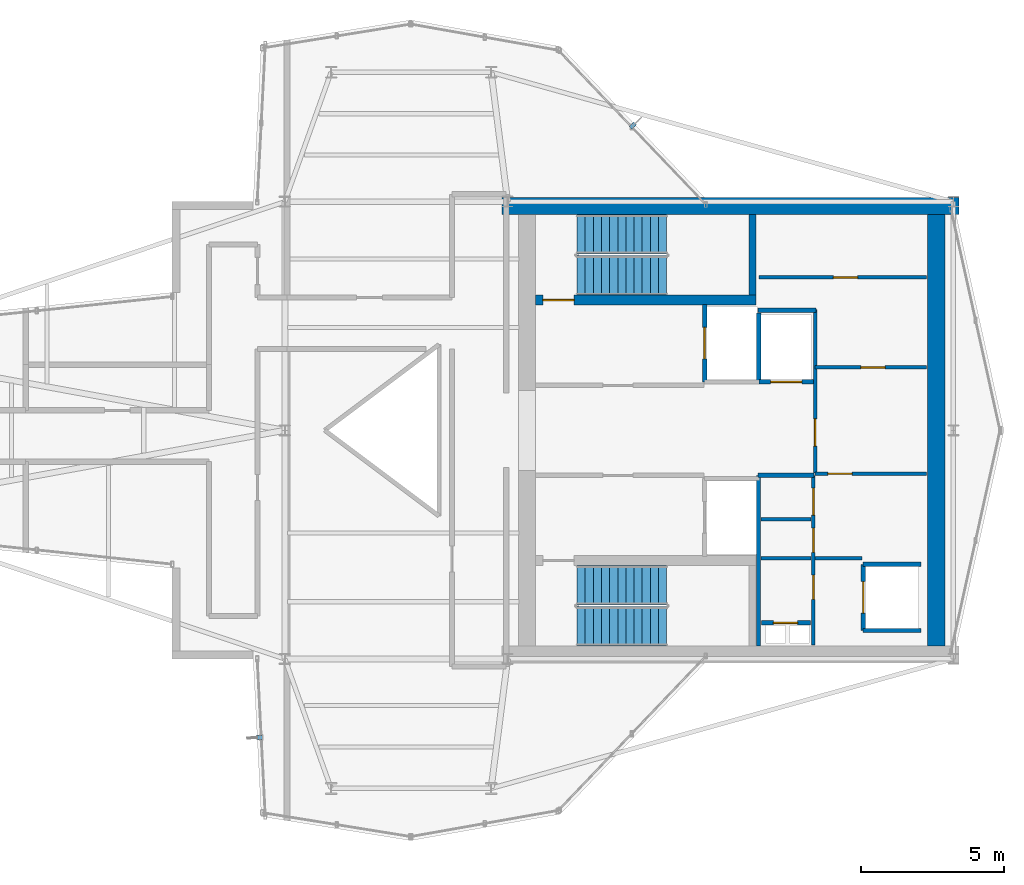
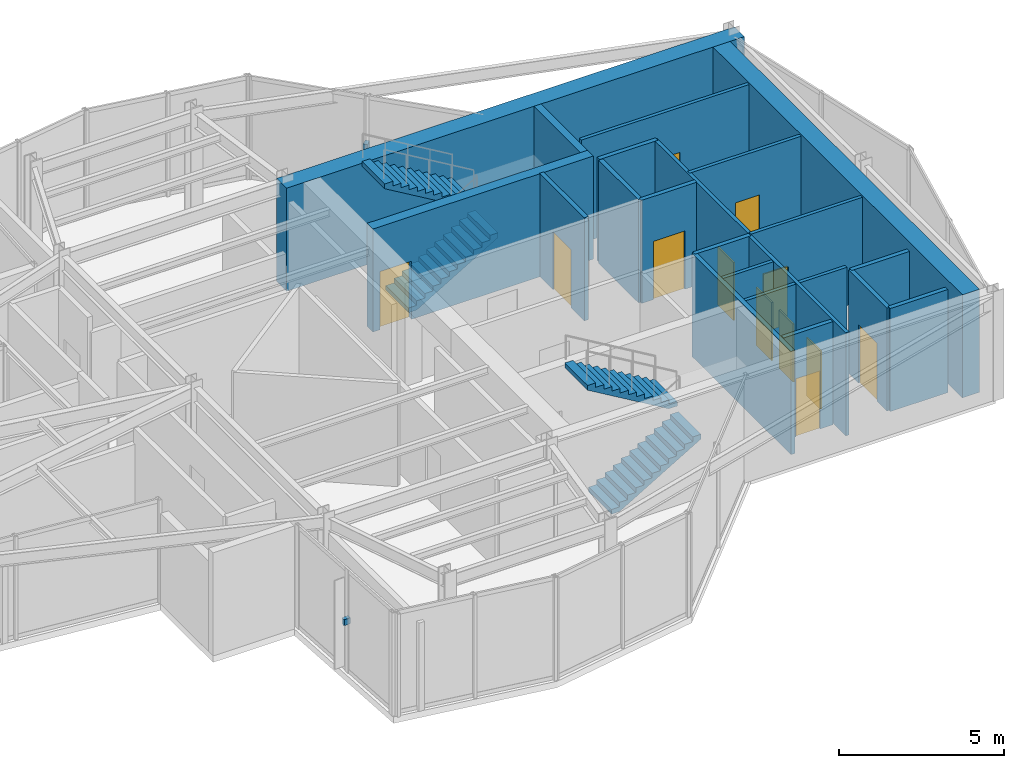
# One storey, part 12 of 13: 22 walls, 12 doors, 4 stair flights, 2 discrete accessories, 12 openings, 2 elements without a shape of their own.
"""IFC4 building model written with IfcOpenShell, lengths in metres."""

import ifcopenshell
import ifcopenshell.guid

model = None  # the IFC model being written
_history = None  # IfcOwnerHistory: only IFC2X3 demands one
_inside = {}  # id of a spatial element -> (the spatial element, [elements in it])
_under = {}  # id of a project, library or spatial element -> (it, [spatial elements below it])
_declared = {}  # id of a project -> (the project, [libraries it declares])
_typed = {}  # id of a type object -> (the type object, [elements of that type])
_made_of = {}  # id of a material, layer set ... -> (it, [elements and type objects made of it])


def new_model(schema):
    """Start an empty IFC model of exactly this schema.

    Asked for "IFC4X3", IfcOpenShell would pick the latest addendum, in which some entities
    have other attributes; the version numbers below select the first issue.
    IFC2X3 requires an IfcOwnerHistory on every rooted entity: one is made here for all.
    """
    global model, _history
    if schema == "IFC4X3":
        model = ifcopenshell.file(schema_version=(4, 3, 0, 0))
    else:
        model = ifcopenshell.file(schema=schema)
    _inside.clear()
    _under.clear()
    _declared.clear()
    _typed.clear()
    _made_of.clear()
    _history = None
    if model.schema == "IFC2X3":
        org = make("IfcOrganization", Name="unknown")
        user = make(
            "IfcPersonAndOrganization",
            ThePerson=make("IfcPerson", FamilyName="unknown"),
            TheOrganization=org,
        )
        app = make(
            "IfcApplication",
            ApplicationDeveloper=org,
            Version="unknown",
            ApplicationFullName="unknown",
            ApplicationIdentifier="unknown",
        )
        _history = make(
            "IfcOwnerHistory",
            OwningUser=user,
            OwningApplication=app,
            ChangeAction="ADDED",
            CreationDate=0,
        )
    return model


def make(cls, **values):
    """One entity of the class cls with the attributes given. An attribute that is None is left unset."""
    return model.create_entity(
        cls, **{name: value for name, value in values.items() if value is not None}
    )


def rooted(cls, **values):
    """An entity with a GlobalId (a new one), such as an element, a storey or a relation."""
    return make(cls, GlobalId=ifcopenshell.guid.new(), OwnerHistory=_history, **values)


def si_unit(unit_type, name, prefix=None):
    """IfcSIUnit, for example si_unit("LENGTHUNIT", "METRE", prefix="MILLI")."""
    return make("IfcSIUnit", UnitType=unit_type, Prefix=prefix, Name=name)


def assignment(units):
    """IfcUnitAssignment: the units of a project."""
    return None if units is None else make("IfcUnitAssignment", Units=units)


def point(xyz):
    """IfcCartesianPoint."""
    return None if xyz is None else make("IfcCartesianPoint", Coordinates=xyz)


def direction(xyz):
    """IfcDirection."""
    return None if xyz is None else make("IfcDirection", DirectionRatios=xyz)


def frame(location, z_axis=None, x_axis=None):
    """IfcAxis2Placement3D, a coordinate frame: its origin and axes. An axis left out is left unset."""
    return make(
        "IfcAxis2Placement3D",
        Location=point(location),
        Axis=direction(z_axis),
        RefDirection=direction(x_axis),
    )


def frame_2d(location, x_axis=None):
    """IfcAxis2Placement2D, a coordinate frame in the plane: its origin and x axis."""
    return make(
        "IfcAxis2Placement2D", Location=point(location), RefDirection=direction(x_axis)
    )


def origin():
    """The frame at (0, 0, 0) with its axes left unset."""
    return frame((0.0, 0.0, 0.0))


def origin_2d():
    """The frame at (0, 0) in the plane with its x axis left unset."""
    return frame_2d((0.0, 0.0))


def place(relative_to, where):
    """IfcLocalPlacement: puts the frame where relative to a parent placement (None: the world)."""
    return make(
        "IfcLocalPlacement", PlacementRelTo=relative_to, RelativePlacement=where
    )


def context(
    kind, dimensions, precision=None, world=None, true_north=None, identifier=None
):
    """IfcGeometricRepresentationContext, for example the 3D "Model" context."""
    return make(
        "IfcGeometricRepresentationContext",
        ContextIdentifier=identifier,
        ContextType=kind,
        CoordinateSpaceDimension=dimensions,
        Precision=precision,
        WorldCoordinateSystem=world,
        TrueNorth=true_north,
    )


def subcontext(parent, identifier, kind, view, scale=None):
    """IfcGeometricRepresentationSubContext, for example "Body" below "Model"."""
    return make(
        "IfcGeometricRepresentationSubContext",
        ContextIdentifier=identifier,
        ContextType=kind,
        ParentContext=parent,
        TargetScale=scale,
        TargetView=view,
    )


def project(units=None, contexts=None):
    """IfcProject with its units and contexts."""
    return rooted(
        "IfcProject",
        Name="project",
        RepresentationContexts=contexts,
        UnitsInContext=assignment(units),
    )


def spatial(cls, under=None, at=None, **own):
    """A site, building, storey or space (cls), placed at a placement, below another one or the project."""
    s = rooted(cls, ObjectPlacement=at, **own)
    if under is not None:
        _under.setdefault(under.id(), (under, []))[1].append(s)
    return s


def polyline(points):
    """IfcPolyline through the points."""
    return make("IfcPolyline", Points=[point(p) for p in points])


def profile(cls, at=None, kind="AREA", **sizes):
    """A parametric profile (cls). Its sizes go by their IFC names, for example OverallWidth=200.0."""
    return make(cls, ProfileType=kind, Position=at, **sizes)


def rectangle(**sizes):
    """IfcRectangleProfileDef."""
    return profile("IfcRectangleProfileDef", **sizes)


def outline(outer, holes=None, kind="AREA"):
    """IfcArbitraryClosedProfileDef: a profile drawn as a closed curve; with holes, ...WithVoids."""
    if holes is None:
        return make("IfcArbitraryClosedProfileDef", ProfileType=kind, OuterCurve=outer)
    return make(
        "IfcArbitraryProfileDefWithVoids",
        ProfileType=kind,
        OuterCurve=outer,
        InnerCurves=holes,
    )


def extrude(swept, where, along, depth):
    """IfcExtrudedAreaSolid: the profile swept, set in the frame where, extruded along a direction by depth."""
    return make(
        "IfcExtrudedAreaSolid",
        SweptArea=swept,
        Position=where,
        ExtrudedDirection=direction(along),
        Depth=depth,
    )


def shape(context_of_items, identifier, shape_type, items):
    """IfcShapeRepresentation: the items that make up one representation, for example the "Body"."""
    return make(
        "IfcShapeRepresentation",
        ContextOfItems=context_of_items,
        RepresentationIdentifier=identifier,
        RepresentationType=shape_type,
        Items=items,
    )


def material(Name=None, Category=None):
    """IfcMaterial."""
    return make("IfcMaterial", Name=Name, Category=Category)


def layer(
    of_material, thickness, ventilated=None, Name=None, Category=None, Priority=None
):
    """IfcMaterialLayer: one layer of a wall or slab, of a material (None: an air gap)."""
    return make(
        "IfcMaterialLayer",
        Material=of_material,
        LayerThickness=thickness,
        IsVentilated=ventilated,
        Name=Name,
        Category=Category,
        Priority=Priority,
    )


def layer_set(layers, Name=None):
    """IfcMaterialLayerSet."""
    return make("IfcMaterialLayerSet", MaterialLayers=layers, LayerSetName=Name)


def made_of(thing, what):
    """Note that an element or type object is made of a material, layer set ...; save() writes the relation."""
    if what is not None:
        _made_of.setdefault(what.id(), (what, []))[1].append(thing)
    return thing


def type_object(cls, material=None, **own):
    """A type object (cls), such as IfcWallType, which elements share."""
    return made_of(rooted(cls, **own), material)


def element(
    cls,
    number,
    at=None,
    inside=None,
    cuts=None,
    type_object=None,
    material=None,
    context=None,
    identifier="Body",
    shape_type=None,
    held_by="IfcProductDefinitionShape",
    body=None,
    shapes=None,
    **own,
):
    """One element of the class cls, such as IfcWall. Its Tag is "e" and its number.

    at: its placement. inside: the storey or other place that contains it. cuts: it is an
    opening in that element (IfcRelVoidsElement). A single representation is given by context,
    identifier, shape_type and body (its items); several are given by shapes. held_by: the class
    of the entity that holds the representations. save() writes the other relations.
    """
    e = rooted(cls, Tag="e%d" % number, ObjectPlacement=at, **own)
    if body is not None:
        shapes = [shape(context, identifier, shape_type, body)]
    if shapes is not None:
        e.Representation = make(held_by, Representations=shapes)
    if inside is not None:
        _inside.setdefault(inside.id(), (inside, []))[1].append(e)
    if cuts is not None:
        rooted(
            "IfcRelVoidsElement", RelatingBuildingElement=cuts, RelatedOpeningElement=e
        )
    if type_object is not None:
        _typed.setdefault(type_object.id(), (type_object, []))[1].append(e)
    return made_of(e, material)


def fill(opening, filler):
    """IfcRelFillsElement: the door or window that sits in an opening."""
    return rooted(
        "IfcRelFillsElement",
        RelatingOpeningElement=opening,
        RelatedBuildingElement=filler,
    )


def aggregate(whole, parts):
    """IfcRelAggregates: a whole, such as a stair, and the parts it consists of."""
    return rooted("IfcRelAggregates", RelatingObject=whole, RelatedObjects=parts)


def save(model, path):
    """Write the relations noted so far, then the file.

    IfcRelAggregates (storeys below a building ...), IfcRelContainedInSpatialStructure (elements
    in a storey), IfcRelDefinesByType, IfcRelAssociatesMaterial and IfcRelDeclares: one each for
    every whole, place, type object, material and project.
    """
    for whole, parts in _under.values():
        aggregate(whole, parts)
    for where, things in _inside.values():
        rooted(
            "IfcRelContainedInSpatialStructure",
            RelatedElements=things,
            RelatingStructure=where,
        )
    for kind, things in _typed.values():
        rooted("IfcRelDefinesByType", RelatedObjects=things, RelatingType=kind)
    for what, things in _made_of.values():
        rooted("IfcRelAssociatesMaterial", RelatedObjects=things, RelatingMaterial=what)
    for by, libraries in _declared.values():
        rooted("IfcRelDeclares", RelatingContext=by, RelatedDefinitions=libraries)
    model.write(path)


model = new_model("IFC4")

# Units and contexts
model_context = context("Model", 3, precision=1e-05, world=origin(), true_north=direction((0.0, 1.0)))
body_context = subcontext(model_context, "Body", "Model", "MODEL_VIEW")
ifc_project = project(units=[si_unit("LENGTHUNIT", "METRE"), si_unit("AREAUNIT", "SQUARE_METRE"), si_unit("VOLUMEUNIT", "CUBIC_METRE"), si_unit("PLANEANGLEUNIT", "RADIAN"), si_unit("MASSUNIT", "GRAM", prefix="KILO")], contexts=[model_context])

# Site, building, storey
site_placement = place(None, origin())
site = spatial("IfcSite", under=ifc_project, at=site_placement, CompositionType="ELEMENT")
building_placement = place(site_placement, origin())
building = spatial("IfcBuilding", under=site, at=building_placement, Name="Veymaron Broadcast Tower", CompositionType="ELEMENT")
storey_placement = place(building_placement, frame((0.0, 0.0, 291.14990234375)))
storey = spatial("IfcBuildingStorey", under=building, at=storey_placement, Name="L68", CompositionType="ELEMENT", Elevation=291.14990234375)

# Wall, opening, door
ifc_material_1 = material(Name="Gypsum fireboard and steel stud framing", Category="steel")
ifc_layer_1 = layer(ifc_material_1, 0.14990234375)
ifc_layer_set_1 = layer_set([ifc_layer_1], Name="Gypsum fireboard and steel stud framing")
wall_type_1 = type_object("IfcWallType", Name="WALL-FIRE-150", PredefinedType="PARTITIONING", material=ifc_layer_set_1)
wall_1_placement = place(storey_placement, frame((45.89501953125, 25.68994140625, 0.0), z_axis=(0.0, 0.0, 1.0), x_axis=(0.0, 1.0, 0.0)))
wall_1 = element("IfcWall", 1, at=wall_1_placement, inside=storey, type_object=wall_type_1, Name="L68 partition IW-L68-SHW-FFL-1", PredefinedType="PARTITIONING", context=body_context, shape_type="SweptSolid", body=[
    extrude(rectangle(XDim=2.719970703125, YDim=0.14990234375, at=frame_2d((1.35986328125, 0.0))), origin(), (0.0, 0.0, 1.0), 3.81005859375),
])
opening_1_placement = place(wall_1_placement, frame((0.81005859375, 0.0, 0.0)))
opening_1 = element("IfcOpeningElement", 2, at=opening_1_placement, cuts=wall_1, Name="Opening LD", PredefinedType="OPENING", context=body_context, shape_type="SweptSolid", body=[
    extrude(rectangle(XDim=1.10009765625, YDim=2.14990234375, at=frame_2d((0.550048828125, 1.074951171875))), frame((0.0, 0.0849609375, 0.0), z_axis=(0.0, -1.0, 0.0), x_axis=(1.0, 0.0, 0.0)), (0.0, 0.0, 1.0), 0.169921875),
])
ifc_material_2 = material(Name="Brushed stainless steel AISI 304", Category="steel")
door_type_1 = type_object("IfcDoorType", Name="DOOR-LIFT-1100", OperationType="DOUBLE_DOOR_SLIDING", PredefinedType="DOOR", material=ifc_material_2)
door_1_placement = place(opening_1_placement, frame((1.10009765625, 0.0, 0.0), z_axis=(0.0, 0.0, 1.0), x_axis=(-1.0, 0.0, 0.0)))
door_1 = element("IfcDoor", 3, at=door_1_placement, inside=storey, type_object=door_type_1, Name="L68 door LD-L68-FFL-1", OperationType="DOUBLE_DOOR_SLIDING", OverallHeight=2.14990234375, OverallWidth=1.10009765625, PredefinedType="DOOR", context=body_context, shape_type="SweptSolid", body=[
    extrude(rectangle(XDim=1.10009765625, YDim=2.14990234375, at=frame_2d((0.550048828125, 1.074951171875))), frame((0.0, 0.02490234375, 0.0), z_axis=(0.0, -1.0, 0.0), x_axis=(1.0, 0.0, 0.0)), (0.0, 0.0, 1.0), 0.050048828125),
])
fill(opening_1, door_1)

wall_2_placement = place(storey_placement, frame((47.7900390625, 25.695068359375, 0.0), z_axis=(0.0, 0.0, 1.0), x_axis=(1.0, 0.0, 0.0)))
wall_2 = element("IfcWall", 4, at=wall_2_placement, inside=storey, type_object=wall_type_1, Name="L68 partition IW-L68-SHS-SL-1", PredefinedType="PARTITIONING", context=body_context, shape_type="SweptSolid", body=[
    extrude(rectangle(XDim=1.919921875, YDim=0.14990234375, at=frame_2d((0.9599609375, 0.0))), origin(), (0.0, 0.0, 1.0), 3.81005859375),
])
opening_2_placement = place(wall_2_placement, frame((0.409912109375, 0.0, 0.0)))
opening_2 = element("IfcOpeningElement", 5, at=opening_2_placement, cuts=wall_2, Name="Opening LD", PredefinedType="OPENING", context=body_context, shape_type="SweptSolid", body=[
    extrude(rectangle(XDim=1.10009765625, YDim=2.14990234375, at=frame_2d((0.550048828125, 1.074951171875))), frame((0.0, 0.0849609375, 0.0), z_axis=(0.0, -1.0, 0.0), x_axis=(1.0, 0.0, 0.0)), (0.0, 0.0, 1.0), 0.169921875),
])
door_2_placement = place(opening_2_placement, frame((1.10009765625, 0.0, 0.0), z_axis=(0.0, 0.0, 1.0), x_axis=(-1.0, 0.0, 0.0)))
door_2 = element("IfcDoor", 6, at=door_2_placement, inside=storey, type_object=door_type_1, Name="L68 door LD-L68-SL-1", OperationType="DOUBLE_DOOR_SLIDING", OverallHeight=2.14990234375, OverallWidth=1.10009765625, PredefinedType="DOOR", context=body_context, shape_type="SweptSolid", body=[
    extrude(rectangle(XDim=1.10009765625, YDim=2.14990234375, at=frame_2d((0.550048828125, 1.074951171875))), frame((0.0, 0.02490234375, 0.0), z_axis=(0.0, -1.0, 0.0), x_axis=(1.0, 0.0, 0.0)), (0.0, 0.0, 1.0), 0.050048828125),
])
fill(opening_2, door_2)

# Wall
wall_3_placement = place(storey_placement, frame((47.7900390625, 25.695068359375, 0.0), z_axis=(0.0, 0.0, 1.0), x_axis=(0.0, 1.0, 0.0)))
element("IfcWall", 7, at=wall_3_placement, inside=storey, type_object=wall_type_1, Name="L68 partition IW-L68-SHW-SL-1", PredefinedType="PARTITIONING", context=body_context, shape_type="SweptSolid", body=[
    extrude(rectangle(XDim=2.4150390625, YDim=0.14990234375, at=frame_2d((1.20751953125, 0.0))), origin(), (0.0, 0.0, 1.0), 3.81005859375),
])

# Wall, opening, door
wall_4_placement = place(storey_placement, frame((51.445068359375, 16.989990234375, 0.0), z_axis=(0.0, 0.0, 1.0), x_axis=(0.0, 1.0, 0.0)))
wall_4 = element("IfcWall", 8, at=wall_4_placement, inside=storey, type_object=wall_type_1, Name="L68 partition IW-L68-SHW-PH1", PredefinedType="PARTITIONING", context=body_context, shape_type="SweptSolid", body=[
    extrude(rectangle(XDim=2.320068359375, YDim=0.14990234375, at=frame_2d((1.16015625, 0.0))), origin(), (0.0, 0.0, 1.0), 3.81005859375),
])
opening_3_placement = place(wall_4_placement, frame((0.610107421875, 0.0, 0.0)))
opening_3 = element("IfcOpeningElement", 9, at=opening_3_placement, cuts=wall_4, Name="Opening LD", PredefinedType="OPENING", context=body_context, shape_type="SweptSolid", body=[
    extrude(rectangle(XDim=1.10009765625, YDim=2.14990234375, at=frame_2d((0.550048828125, 1.074951171875))), frame((0.0, 0.0849609375, 0.0), z_axis=(0.0, -1.0, 0.0), x_axis=(1.0, 0.0, 0.0)), (0.0, 0.0, 1.0), 0.169921875),
])
door_3_placement = place(opening_3_placement, frame((1.10009765625, 0.0, 0.0), z_axis=(0.0, 0.0, 1.0), x_axis=(-1.0, 0.0, 0.0)))
door_3 = element("IfcDoor", 10, at=door_3_placement, inside=storey, type_object=door_type_1, Name="L68 door LD-L68-PH1", OperationType="DOUBLE_DOOR_SLIDING", OverallHeight=2.14990234375, OverallWidth=1.10009765625, PredefinedType="DOOR", context=body_context, shape_type="SweptSolid", body=[
    extrude(rectangle(XDim=1.10009765625, YDim=2.14990234375, at=frame_2d((0.550048828125, 1.074951171875))), frame((0.0, 0.02490234375, 0.0), z_axis=(0.0, -1.0, 0.0), x_axis=(1.0, 0.0, 0.0)), (0.0, 0.0, 1.0), 0.050048828125),
])
fill(opening_3, door_3)

# Walls
for number, where, z_axis, x_axis, name in (
    (11, (51.445068359375, 16.989990234375, 0.0), (0.0, 0.0, 1.0), (1.0, 0.0, 0.0), "L68 partition IW-L68-SHS-PH1"),
    (12, (51.445068359375, 19.31005859375, 0.0), (0.0, 0.0, 1.0), (1.0, 0.0, 0.0), "L68 partition IW-L68-SHN-PH1"),
):
    element("IfcWall", number, at=place(storey_placement, frame(where, z_axis=z_axis, x_axis=x_axis)), inside=storey, type_object=wall_type_1, Name=name, PredefinedType="PARTITIONING", context=body_context, shape_type="SweptSolid", body=[
        extrude(rectangle(XDim=2.014892578125, YDim=0.14990234375, at=frame_2d((1.00732421875, 0.0))), origin(), (0.0, 0.0, 1.0), 3.81005859375),
    ])

# Wall, opening, door
wall_5_placement = place(storey_placement, frame((47.8798828125, 17.260009765625, 0.0), z_axis=(0.0, 0.0, 1.0), x_axis=(1.0, 0.0, 0.0)))
wall_5 = element("IfcWall", 13, at=wall_5_placement, inside=storey, type_object=wall_type_1, Name="L68 partition IW-L68-RIS-N", PredefinedType="PARTITIONING", context=body_context, shape_type="SweptSolid", body=[
    extrude(rectangle(XDim=1.72021484375, YDim=0.14990234375, at=frame_2d((0.860107421875, 0.0))), origin(), (0.0, 0.0, 1.0), 3.81005859375),
])
opening_4_placement = place(wall_5_placement, frame((0.419921875, 0.0, 0.0)))
opening_4 = element("IfcOpeningElement", 14, at=opening_4_placement, cuts=wall_5, Name="Opening ID-RS1", PredefinedType="OPENING", context=body_context, shape_type="SweptSolid", body=[
    extrude(rectangle(XDim=0.85009765625, YDim=2.14990234375, at=frame_2d((0.425048828125, 1.074951171875))), frame((0.0, 0.0849609375, 0.0), z_axis=(0.0, -1.0, 0.0), x_axis=(1.0, 0.0, 0.0)), (0.0, 0.0, 1.0), 0.169921875),
])
ifc_material_3 = material(Name="Fire-rated powder-coated steel riser leaf", Category="steel")
door_type_2 = type_object("IfcDoorType", Name="DOOR-RIS-850", OperationType="NOTDEFINED", PredefinedType="TRAPDOOR", material=ifc_material_3)
door_4_placement = place(opening_4_placement, origin())
door_4 = element("IfcDoor", 15, at=door_4_placement, inside=storey, type_object=door_type_2, Name="L68 door DR-L68-RIS", OperationType="SINGLE_SWING_LEFT", OverallHeight=2.14990234375, OverallWidth=0.85009765625, PredefinedType="TRAPDOOR", context=body_context, shape_type="SweptSolid", body=[
    extrude(rectangle(XDim=0.85009765625, YDim=2.14990234375, at=frame_2d((0.425048828125, 1.074951171875))), frame((0.0, 0.02490234375, 0.0), z_axis=(0.0, -1.0, 0.0), x_axis=(1.0, 0.0, 0.0)), (0.0, 0.0, 1.0), 0.050048828125),
])
fill(opening_4, door_4)

# Walls
wall_6_placement = place(storey_placement, frame((47.760009765625, 22.425048828125, 0.0), z_axis=(0.0, 0.0, 1.0), x_axis=(1.0, 0.0, 0.0)))
element("IfcWall", 16, at=wall_6_placement, inside=storey, type_object=wall_type_1, Name="L68 partition IW-L68-SM-N", PredefinedType="PARTITIONING", context=body_context, shape_type="SweptSolid", body=[
    extrude(rectangle(XDim=1.9599609375, YDim=0.14990234375, at=frame_2d((0.97998046875, 0.0))), origin(), (0.0, 0.0, 1.0), 3.81005859375),
])
wall_7_placement = place(storey_placement, frame((47.780029296875, 16.449951171875, 0.0), z_axis=(0.0, 0.0, 1.0), x_axis=(0.0, 1.0, 0.0)))
element("IfcWall", 17, at=wall_7_placement, inside=storey, type_object=wall_type_1, Name="L68 partition IW-L68-SM-W", PredefinedType="PARTITIONING", context=body_context, shape_type="SweptSolid", body=[
    extrude(rectangle(XDim=5.97509765625, YDim=0.14990234375, at=frame_2d((2.987548828125, 0.0))), origin(), (0.0, 0.0, 1.0), 3.81005859375),
])
wall_8_placement = place(storey_placement, frame((47.760009765625, 28.199951171875, 0.0), z_axis=(0.0, 0.0, 1.0), x_axis=(1.0, 0.0, 0.0)))
element("IfcWall", 18, at=wall_8_placement, inside=storey, type_object=wall_type_1, Name="L68 partition IW-L68-F3-SW", PredefinedType="PARTITIONING", context=body_context, shape_type="SweptSolid", body=[
    extrude(rectangle(XDim=2.0400390625, YDim=0.14990234375, at=frame_2d((1.02001953125, 0.0))), origin(), (0.0, 0.0, 1.0), 3.81005859375),
])
ifc_material_4 = material(Name="Acoustic gypsum board and galvanized stud", Category="gypsum")
ifc_layer_2 = layer(ifc_material_4, 0.1201171875)
ifc_layer_set_2 = layer_set([ifc_layer_2], Name="Acoustic gypsum board and galvanized stud")
wall_type_2 = type_object("IfcWallType", Name="WALL-PART-120", PredefinedType="PARTITIONING", material=ifc_layer_set_2)
for number, where, z_axis, x_axis, name in (
    (19, (47.860107421875, 19.52001953125, 0.0), (0.0, 0.0, 1.0), (1.0, 0.0, 0.0), "L68 partition IW-L68-SM-D1"),
    (20, (47.860107421875, 20.8798828125, 0.0), (0.0, 0.0, 1.0), (1.0, 0.0, 0.0), "L68 partition IW-L68-SM-D2"),
):
    element("IfcWall", number, at=place(storey_placement, frame(where, z_axis=z_axis, x_axis=x_axis)), inside=storey, type_object=wall_type_2, Name=name, PredefinedType="PARTITIONING", context=body_context, shape_type="SweptSolid", body=[
        extrude(rectangle(XDim=1.760009765625, YDim=0.1201171875, at=frame_2d((0.8798828125, 0.0))), origin(), (0.0, 0.0, 1.0), 3.81005859375),
    ])

# Wall, openings, doors
wall_9_placement = place(storey_placement, frame((49.699951171875, 16.47998046875, 0.0), z_axis=(0.0, 0.0, 1.0), x_axis=(0.0, 1.0, 0.0)))
wall_9 = element("IfcWall", 21, at=wall_9_placement, inside=storey, type_object=wall_type_2, Name="L68 partition IW-L68-SM-E", PredefinedType="PARTITIONING", context=body_context, shape_type="SweptSolid", body=[
    extrude(rectangle(XDim=5.945068359375, YDim=0.1201171875, at=frame_2d((2.97265625, 0.0))), origin(), (0.0, 0.0, 1.0), 3.81005859375),
])
opening_5_placement = place(wall_9_placement, frame((1.60009765625, 0.0, 0.0)))
opening_5 = element("IfcOpeningElement", 22, at=opening_5_placement, cuts=wall_9, Name="Opening ID-WC1", PredefinedType="OPENING", context=body_context, shape_type="SweptSolid", body=[
    extrude(rectangle(XDim=0.85009765625, YDim=2.14990234375, at=frame_2d((0.425048828125, 1.074951171875))), frame((0.0, 0.070068359375, 0.0), z_axis=(0.0, -1.0, 0.0), x_axis=(1.0, 0.0, 0.0)), (0.0, 0.0, 1.0), 0.14013671875),
])
opening_6_placement = place(wall_9_placement, frame((3.25, 0.0, 0.0)))
opening_6 = element("IfcOpeningElement", 23, at=opening_6_placement, cuts=wall_9, Name="Opening ID-WC1", PredefinedType="OPENING", context=body_context, shape_type="SweptSolid", body=[
    extrude(rectangle(XDim=0.85009765625, YDim=2.14990234375, at=frame_2d((0.425048828125, 1.074951171875))), frame((0.0, 0.070068359375, 0.0), z_axis=(0.0, -1.0, 0.0), x_axis=(1.0, 0.0, 0.0)), (0.0, 0.0, 1.0), 0.14013671875),
])
opening_7_placement = place(wall_9_placement, frame((4.550048828125, 0.0, 0.0)))
opening_7 = element("IfcOpeningElement", 24, at=opening_7_placement, cuts=wall_9, Name="Opening ID-RM1", PredefinedType="OPENING", context=body_context, shape_type="SweptSolid", body=[
    extrude(rectangle(XDim=0.949951171875, YDim=2.14990234375, at=frame_2d((0.47509765625, 1.074951171875))), frame((0.0, 0.070068359375, 0.0), z_axis=(0.0, -1.0, 0.0), x_axis=(1.0, 0.0, 0.0)), (0.0, 0.0, 1.0), 0.14013671875),
])
ifc_material_5 = material(Name="Moisture-resistant high-pressure laminate timber", Category="wood")
door_type_3 = type_object("IfcDoorType", Name="DOOR-INT-850", OperationType="NOTDEFINED", PredefinedType="DOOR", material=ifc_material_5)
door_5_placement = place(opening_5_placement, frame((0.85009765625, 0.0, 0.0), z_axis=(0.0, 0.0, 1.0), x_axis=(-1.0, 0.0, 0.0)))
door_5 = element("IfcDoor", 25, at=door_5_placement, inside=storey, type_object=door_type_3, Name="L68 door DR-L68-JST", OperationType="SINGLE_SWING_LEFT", OverallHeight=2.14990234375, OverallWidth=0.85009765625, PredefinedType="DOOR", context=body_context, shape_type="SweptSolid", body=[
    extrude(rectangle(XDim=0.85009765625, YDim=2.14990234375, at=frame_2d((0.425048828125, 1.074951171875))), frame((0.0, 0.02490234375, 0.0), z_axis=(0.0, -1.0, 0.0), x_axis=(1.0, 0.0, 0.0)), (0.0, 0.0, 1.0), 0.050048828125),
])
fill(opening_5, door_5)
door_6_placement = place(opening_6_placement, frame((0.85009765625, 0.0, 0.0), z_axis=(0.0, 0.0, 1.0), x_axis=(-1.0, 0.0, 0.0)))
door_6 = element("IfcDoor", 26, at=door_6_placement, inside=storey, type_object=door_type_3, Name="L68 door DR-L68-SWC", OperationType="SINGLE_SWING_RIGHT", OverallHeight=2.14990234375, OverallWidth=0.85009765625, PredefinedType="DOOR", context=body_context, shape_type="SweptSolid", body=[
    extrude(rectangle(XDim=0.85009765625, YDim=2.14990234375, at=frame_2d((0.425048828125, 1.074951171875))), frame((0.0, 0.02490234375, 0.0), z_axis=(0.0, -1.0, 0.0), x_axis=(1.0, 0.0, 0.0)), (0.0, 0.0, 1.0), 0.050048828125),
])
fill(opening_6, door_6)
ifc_material_6 = material(Name="Acoustic solid-core European oak veneer timber", Category="wood")
door_type_4 = type_object("IfcDoorType", Name="DOOR-INT-950", OperationType="NOTDEFINED", PredefinedType="DOOR", material=ifc_material_6)
door_7_placement = place(opening_7_placement, frame((0.949951171875, 0.0, 0.0), z_axis=(0.0, 0.0, 1.0), x_axis=(-1.0, 0.0, 0.0)))
door_7 = element("IfcDoor", 27, at=door_7_placement, inside=storey, type_object=door_type_4, Name="L68 door DR-L68-AWC", OperationType="SINGLE_SWING_LEFT", OverallHeight=2.14990234375, OverallWidth=0.949951171875, PredefinedType="DOOR", context=body_context, shape_type="SweptSolid", body=[
    extrude(rectangle(XDim=0.949951171875, YDim=2.14990234375, at=frame_2d((0.47509765625, 1.074951171875))), frame((0.0, 0.02490234375, 0.0), z_axis=(0.0, -1.0, 0.0), x_axis=(1.0, 0.0, 0.0)), (0.0, 0.0, 1.0), 0.050048828125),
])
fill(opening_7, door_7)

# Wall, opening, door
wall_10_placement = place(storey_placement, frame((49.760009765625, 22.47998046875, 0.0), z_axis=(0.0, 0.0, 1.0), x_axis=(1.0, 0.0, 0.0)))
wall_10 = element("IfcWall", 28, at=wall_10_placement, inside=storey, type_object=wall_type_2, Name="L68 partition IW-L68-F3S-N", PredefinedType="PARTITIONING", context=body_context, shape_type="SweptSolid", body=[
    extrude(rectangle(XDim=3.89990234375, YDim=0.1201171875, at=frame_2d((1.949951171875, 0.0))), origin(), (0.0, 0.0, 1.0), 3.81005859375),
])
opening_8_placement = place(wall_10_placement, frame((0.449951171875, 0.0, 0.0)))
opening_8 = element("IfcOpeningElement", 29, at=opening_8_placement, cuts=wall_10, Name="Opening ID-WC1", PredefinedType="OPENING", context=body_context, shape_type="SweptSolid", body=[
    extrude(rectangle(XDim=0.85009765625, YDim=2.14990234375, at=frame_2d((0.425048828125, 1.074951171875))), frame((0.0, 0.070068359375, 0.0), z_axis=(0.0, -1.0, 0.0), x_axis=(1.0, 0.0, 0.0)), (0.0, 0.0, 1.0), 0.14013671875),
])
door_8_placement = place(opening_8_placement, frame((0.85009765625, 0.0, 0.0), z_axis=(0.0, 0.0, 1.0), x_axis=(-1.0, 0.0, 0.0)))
door_8 = element("IfcDoor", 30, at=door_8_placement, inside=storey, type_object=door_type_3, Name="L68 door DR-L68-F3S", OperationType="SINGLE_SWING_LEFT", OverallHeight=2.14990234375, OverallWidth=0.85009765625, PredefinedType="DOOR", context=body_context, shape_type="SweptSolid", body=[
    extrude(rectangle(XDim=0.85009765625, YDim=2.14990234375, at=frame_2d((0.425048828125, 1.074951171875))), frame((0.0, 0.02490234375, 0.0), z_axis=(0.0, -1.0, 0.0), x_axis=(1.0, 0.0, 0.0)), (0.0, 0.0, 1.0), 0.050048828125),
])
fill(opening_8, door_8)

# Wall
wall_11_placement = place(storey_placement, frame((49.760009765625, 19.52001953125, 0.0), z_axis=(0.0, 0.0, 1.0), x_axis=(1.0, 0.0, 0.0)))
element("IfcWall", 31, at=wall_11_placement, inside=storey, type_object=wall_type_2, Name="L68 partition IW-L68-F3S-S", PredefinedType="PARTITIONING", context=body_context, shape_type="SweptSolid", body=[
    extrude(rectangle(XDim=1.639892578125, YDim=0.1201171875, at=frame_2d((0.81982421875, 0.0))), origin(), (0.0, 0.0, 1.0), 3.81005859375),
])

# Wall, opening, door
wall_12_placement = place(storey_placement, frame((49.760009765625, 22.5, 0.0), z_axis=(0.0, 0.0, 1.0), x_axis=(0.0, 1.0, 0.0)))
wall_12 = element("IfcWall", 32, at=wall_12_placement, inside=storey, type_object=wall_type_2, Name="L68 partition IW-L68-F3-W", PredefinedType="PARTITIONING", context=body_context, shape_type="SweptSolid", body=[
    extrude(rectangle(XDim=5.719970703125, YDim=0.1201171875, at=frame_2d((2.85986328125, 0.0))), origin(), (0.0, 0.0, 1.0), 3.81005859375),
])
opening_9_placement = place(wall_12_placement, frame((0.949951171875, 0.0, 0.0)))
opening_9 = element("IfcOpeningElement", 33, at=opening_9_placement, cuts=wall_12, Name="Opening ID-RM1", PredefinedType="OPENING", context=body_context, shape_type="SweptSolid", body=[
    extrude(rectangle(XDim=0.949951171875, YDim=2.14990234375, at=frame_2d((0.47509765625, 1.074951171875))), frame((0.0, 0.070068359375, 0.0), z_axis=(0.0, -1.0, 0.0), x_axis=(1.0, 0.0, 0.0)), (0.0, 0.0, 1.0), 0.14013671875),
])
door_9_placement = place(opening_9_placement, origin())
door_9 = element("IfcDoor", 34, at=door_9_placement, inside=storey, type_object=door_type_4, Name="L68 door DR-L68-F3A", OperationType="SINGLE_SWING_LEFT", OverallHeight=2.14990234375, OverallWidth=0.949951171875, PredefinedType="DOOR", context=body_context, shape_type="SweptSolid", body=[
    extrude(rectangle(XDim=0.949951171875, YDim=2.14990234375, at=frame_2d((0.47509765625, 1.074951171875))), frame((0.0, 0.02490234375, 0.0), z_axis=(0.0, -1.0, 0.0), x_axis=(1.0, 0.0, 0.0)), (0.0, 0.0, 1.0), 0.050048828125),
])
fill(opening_9, door_9)

wall_13_placement = place(storey_placement, frame((49.760009765625, 26.199951171875, 0.0), z_axis=(0.0, 0.0, 1.0), x_axis=(1.0, 0.0, 0.0)))
wall_13 = element("IfcWall", 35, at=wall_13_placement, inside=storey, type_object=wall_type_2, Name="L68 partition IW-L68-F3-M1", PredefinedType="PARTITIONING", context=body_context, shape_type="SweptSolid", body=[
    extrude(rectangle(XDim=3.89990234375, YDim=0.1201171875, at=frame_2d((1.949951171875, 0.0))), origin(), (0.0, 0.0, 1.0), 3.81005859375),
])
opening_10_placement = place(wall_13_placement, frame((1.60009765625, 0.0, 0.0)))
opening_10 = element("IfcOpeningElement", 36, at=opening_10_placement, cuts=wall_13, Name="Opening ID-WC1", PredefinedType="OPENING", context=body_context, shape_type="SweptSolid", body=[
    extrude(rectangle(XDim=0.85009765625, YDim=2.14990234375, at=frame_2d((0.425048828125, 1.074951171875))), frame((0.0, 0.070068359375, 0.0), z_axis=(0.0, -1.0, 0.0), x_axis=(1.0, 0.0, 0.0)), (0.0, 0.0, 1.0), 0.14013671875),
])
door_10_placement = place(opening_10_placement, origin())
door_10 = element("IfcDoor", 37, at=door_10_placement, inside=storey, type_object=door_type_3, Name="L68 door DR-L68-F3B", OperationType="SINGLE_SWING_LEFT", OverallHeight=2.14990234375, OverallWidth=0.85009765625, PredefinedType="DOOR", context=body_context, shape_type="SweptSolid", body=[
    extrude(rectangle(XDim=0.85009765625, YDim=2.14990234375, at=frame_2d((0.425048828125, 1.074951171875))), frame((0.0, 0.02490234375, 0.0), z_axis=(0.0, -1.0, 0.0), x_axis=(1.0, 0.0, 0.0)), (0.0, 0.0, 1.0), 0.050048828125),
])
fill(opening_10, door_10)

wall_14_placement = place(storey_placement, frame((47.800048828125, 29.35009765625, 0.0), z_axis=(0.0, 0.0, 1.0), x_axis=(1.0, 0.0, 0.0)))
wall_14 = element("IfcWall", 38, at=wall_14_placement, inside=storey, type_object=wall_type_2, Name="L68 partition IW-L68-F3-M2", PredefinedType="PARTITIONING", context=body_context, shape_type="SweptSolid", body=[
    extrude(rectangle(XDim=5.85986328125, YDim=0.1201171875, at=frame_2d((2.929931640625, 0.0))), origin(), (0.0, 0.0, 1.0), 3.81005859375),
])
opening_11_placement = place(wall_14_placement, frame((2.60009765625, 0.0, 0.0)))
opening_11 = element("IfcOpeningElement", 39, at=opening_11_placement, cuts=wall_14, Name="Opening ID-WC1", PredefinedType="OPENING", context=body_context, shape_type="SweptSolid", body=[
    extrude(rectangle(XDim=0.85009765625, YDim=2.14990234375, at=frame_2d((0.425048828125, 1.074951171875))), frame((0.0, 0.070068359375, 0.0), z_axis=(0.0, -1.0, 0.0), x_axis=(1.0, 0.0, 0.0)), (0.0, 0.0, 1.0), 0.14013671875),
])
door_11_placement = place(opening_11_placement, origin())
door_11 = element("IfcDoor", 40, at=door_11_placement, inside=storey, type_object=door_type_3, Name="L68 door DR-L68-F3C", OperationType="SINGLE_SWING_RIGHT", OverallHeight=2.14990234375, OverallWidth=0.85009765625, PredefinedType="DOOR", context=body_context, shape_type="SweptSolid", body=[
    extrude(rectangle(XDim=0.85009765625, YDim=2.14990234375, at=frame_2d((0.425048828125, 1.074951171875))), frame((0.0, 0.02490234375, 0.0), z_axis=(0.0, -1.0, 0.0), x_axis=(1.0, 0.0, 0.0)), (0.0, 0.0, 1.0), 0.050048828125),
])
fill(opening_11, door_11)

# Wall
ifc_material_7 = material(Name="Concrete C50/60", Category="concrete")
ifc_layer_3 = layer(ifc_material_7, 0.25)
ifc_layer_set_3 = layer_set([ifc_layer_3], Name="Concrete C50/60")
wall_type_3 = type_object("IfcWallType", Name="WALL-SHEAR-250", PredefinedType="SHEAR", material=ifc_layer_set_3)
wall_15_placement = place(storey_placement, frame((47.56494140625, 28.72998046875, 0.0), z_axis=(0.0, 0.0, 1.0), x_axis=(0.0, 1.0, 0.0)))
element("IfcWall", 41, at=wall_15_placement, inside=storey, type_object=wall_type_3, Name="L68 Core Wall north stair east shear", PredefinedType="SHEAR", context=body_context, shape_type="SweptSolid", body=[
    extrude(rectangle(XDim=2.820068359375, YDim=0.25, at=frame_2d((1.41015625, 0.0))), origin(), (0.0, 0.0, 1.0), 3.81005859375),
])

# Wall, opening, door
ifc_layer_4 = layer(ifc_material_7, 0.35009765625)
ifc_layer_set_4 = layer_set([ifc_layer_4], Name="Concrete C50/60")
wall_type_4 = type_object("IfcWallType", Name="WALL-SHEAR-350", PredefinedType="SHEAR", material=ifc_layer_set_4)
wall_16_placement = place(storey_placement, frame((39.97998046875, 28.554931640625, 0.0), z_axis=(0.0, 0.0, 1.0), x_axis=(1.0, 0.0, 0.0)))
wall_16 = element("IfcWall", 42, at=wall_16_placement, inside=storey, type_object=wall_type_4, Name="L68 Core Wall north stair spine", PredefinedType="SHEAR", context=body_context, shape_type="SweptSolid", body=[
    extrude(rectangle(XDim=7.7099609375, YDim=0.35009765625, at=frame_2d((3.85498046875, 0.0))), origin(), (0.0, 0.0, 1.0), 3.81005859375),
])
opening_12_placement = place(wall_16_placement, frame((0.25, 0.0, 0.0)))
opening_12 = element("IfcOpeningElement", 43, at=opening_12_placement, cuts=wall_16, Name="Opening ID-ST1", PredefinedType="OPENING", context=body_context, shape_type="SweptSolid", body=[
    extrude(rectangle(XDim=1.10009765625, YDim=2.14990234375, at=frame_2d((0.550048828125, 1.074951171875))), frame((0.0, 0.18505859375, 0.0), z_axis=(0.0, -1.0, 0.0), x_axis=(1.0, 0.0, 0.0)), (0.0, 0.0, 1.0), 0.3701171875),
])
ifc_material_8 = material(Name="Fire-rated painted hollow steel ASTM A653", Category="steel")
door_type_5 = type_object("IfcDoorType", Name="DOOR-STAIR-1100", OperationType="NOTDEFINED", PredefinedType="DOOR", material=ifc_material_8)
door_12_placement = place(opening_12_placement, origin())
door_12 = element("IfcDoor", 44, at=door_12_placement, inside=storey, type_object=door_type_5, Name="L68 exit stair ST1 fire door", OperationType="SINGLE_SWING_LEFT", OverallHeight=2.14990234375, OverallWidth=1.10009765625, PredefinedType="DOOR", context=body_context, shape_type="SweptSolid", body=[
    extrude(rectangle(XDim=1.10009765625, YDim=2.14990234375, at=frame_2d((0.550048828125, 1.074951171875))), frame((0.0, 0.02490234375, 0.0), z_axis=(0.0, -1.0, 0.0), x_axis=(1.0, 0.0, 0.0)), (0.0, 0.0, 1.0), 0.050048828125),
])
fill(opening_12, door_12)

# Walls
ifc_layer_5 = layer(ifc_material_7, 0.60009765625)
ifc_layer_set_5 = layer_set([ifc_layer_5], Name="Concrete C50/60")
wall_type_5 = type_object("IfcWallType", Name="WALL-SHEAR-600", PredefinedType="SHEAR", material=ifc_layer_set_5)
wall_17_placement = place(storey_placement, frame((38.800048828125, 31.85009765625, 0.0), z_axis=(0.0, 0.0, 1.0), x_axis=(1.0, 0.0, 0.0)))
element("IfcWall", 45, at=wall_17_placement, inside=storey, type_object=wall_type_5, Name="L68 Core Wall north shear", PredefinedType="SHEAR", context=body_context, shape_type="SweptSolid", body=[
    extrude(rectangle(XDim=16.0, YDim=0.60009765625, at=frame_2d((8.0, 0.0))), origin(), (0.0, 0.0, 1.0), 3.81005859375),
])
wall_18_placement = place(storey_placement, frame((54.0, 16.449951171875, 0.0), z_axis=(0.0, 0.0, 1.0), x_axis=(0.0, 1.0, 0.0)))
element("IfcWall", 46, at=wall_18_placement, inside=storey, type_object=wall_type_5, Name="L68 Core Wall east shear", PredefinedType="SHEAR", context=body_context, shape_type="SweptSolid", body=[
    extrude(rectangle(XDim=15.10009765625, YDim=0.60009765625, at=frame_2d((7.550048828125, 0.0))), origin(), (0.0, 0.0, 1.0), 3.81005859375),
])

# Stair, stair flights
stair_type_1 = type_object("IfcStairType", Name="STAIR-CORE-1", PredefinedType="HALF_TURN_STAIR", material=ifc_material_7)
stair_1_placement = place(storey_placement, origin())
stair_1 = element("IfcStair", 47, at=stair_1_placement, inside=storey, type_object=stair_type_1, Name="L68 North protected dog-leg exit stair ST1", PredefinedType="HALF_TURN_STAIR")
ifc_material_9 = material(Name="Precast concrete C50/60", Category="concrete")
stair_flight_type = type_object("IfcStairFlightType", Name="FLT-CORE-RC", PredefinedType="STRAIGHT", material=ifc_material_9)
stair_flight_1_placement = place(storey_placement, frame((41.429931640625, 29.419921875, 0.0), z_axis=(0.0, 0.0, 1.0), x_axis=(1.0, 0.0, 0.0)))
stair_flight_1 = element("IfcStairFlight", 48, at=stair_flight_1_placement, type_object=stair_flight_type, Name="ST1 flight 1", NumberOfRisers=12, NumberOfTreads=11, PredefinedType="STRAIGHT", RiserHeight=0.16875, TreadLength=0.285, context=body_context, shape_type="SweptSolid", body=[
    extrude(outline(polyline([(0.0, 0.0), (0.0, 0.168701171875), (0.284912109375, 0.168701171875), (0.284912109375, 0.33740234375), (0.570068359375, 0.33740234375), (0.570068359375, 0.50634765625), (0.85498046875, 0.50634765625), (0.85498046875, 0.675048828125), (1.139892578125, 0.675048828125), (1.139892578125, 0.84375), (1.425048828125, 0.84375), (1.425048828125, 1.012451171875), (1.7099609375, 1.012451171875), (1.7099609375, 1.18115234375), (1.9951171875, 1.18115234375), (1.9951171875, 1.35009765625), (2.280029296875, 1.35009765625), (2.280029296875, 1.518798828125), (2.56494140625, 1.518798828125), (2.56494140625, 1.6875), (2.85009765625, 1.6875), (2.85009765625, 1.856201171875), (3.135009765625, 1.856201171875), (3.135009765625, 2.02490234375), (3.135009765625, 1.68212890625), (0.294189453125, 0.0), (0.0, 0.0)])), frame((0.0, 0.68994140625, 0.0), z_axis=(0.0, -1.0, 0.0), x_axis=(1.0, 0.0, 0.0)), (0.0, 0.0, 1.0), 1.3798828125),
])
stair_flight_2_placement = place(storey_placement, frame((44.56494140625, 30.860107421875, 2.025146484375), z_axis=(0.0, 0.0, 1.0), x_axis=(-1.0, 0.0, 0.0)))
stair_flight_2 = element("IfcStairFlight", 49, at=stair_flight_2_placement, type_object=stair_flight_type, Name="ST1 flight 2", NumberOfRisers=12, NumberOfTreads=11, PredefinedType="STRAIGHT", RiserHeight=0.16875, TreadLength=0.285, context=body_context, shape_type="SweptSolid", body=[
    extrude(outline(polyline([(0.0, 0.0), (0.0, 0.168701171875), (0.284912109375, 0.168701171875), (0.284912109375, 0.33740234375), (0.570068359375, 0.33740234375), (0.570068359375, 0.50634765625), (0.85498046875, 0.50634765625), (0.85498046875, 0.675048828125), (1.139892578125, 0.675048828125), (1.139892578125, 0.84375), (1.425048828125, 0.84375), (1.425048828125, 1.012451171875), (1.7099609375, 1.012451171875), (1.7099609375, 1.18115234375), (1.9951171875, 1.18115234375), (1.9951171875, 1.35009765625), (2.280029296875, 1.35009765625), (2.280029296875, 1.518798828125), (2.56494140625, 1.518798828125), (2.56494140625, 1.6875), (2.85009765625, 1.6875), (2.85009765625, 1.856201171875), (3.135009765625, 1.856201171875), (3.135009765625, 2.02490234375), (3.135009765625, 1.68212890625), (0.294189453125, 0.0), (0.0, 0.0)])), frame((0.0, 0.68994140625, 0.0), z_axis=(0.0, -1.0, 0.0), x_axis=(1.0, 0.0, 0.0)), (0.0, 0.0, 1.0), 1.3798828125),
])
aggregate(stair_1, [stair_flight_1, stair_flight_2])

stair_type_2 = type_object("IfcStairType", Name="STAIR-CORE-2", PredefinedType="HALF_TURN_STAIR", material=ifc_material_7)
stair_2_placement = place(storey_placement, origin())
stair_2 = element("IfcStair", 50, at=stair_2_placement, inside=storey, type_object=stair_type_2, Name="L68 South protected dog-leg exit stair ST2", PredefinedType="HALF_TURN_STAIR")
stair_flight_3_placement = place(storey_placement, frame((41.429931640625, 17.139892578125, 0.0), z_axis=(0.0, 0.0, 1.0), x_axis=(1.0, 0.0, 0.0)))
stair_flight_3 = element("IfcStairFlight", 51, at=stair_flight_3_placement, type_object=stair_flight_type, Name="ST2 flight 1", NumberOfRisers=12, NumberOfTreads=11, PredefinedType="STRAIGHT", RiserHeight=0.16875, TreadLength=0.285, context=body_context, shape_type="SweptSolid", body=[
    extrude(outline(polyline([(0.0, 0.0), (0.0, 0.168701171875), (0.284912109375, 0.168701171875), (0.284912109375, 0.33740234375), (0.570068359375, 0.33740234375), (0.570068359375, 0.50634765625), (0.85498046875, 0.50634765625), (0.85498046875, 0.675048828125), (1.139892578125, 0.675048828125), (1.139892578125, 0.84375), (1.425048828125, 0.84375), (1.425048828125, 1.012451171875), (1.7099609375, 1.012451171875), (1.7099609375, 1.18115234375), (1.9951171875, 1.18115234375), (1.9951171875, 1.35009765625), (2.280029296875, 1.35009765625), (2.280029296875, 1.518798828125), (2.56494140625, 1.518798828125), (2.56494140625, 1.6875), (2.85009765625, 1.6875), (2.85009765625, 1.856201171875), (3.135009765625, 1.856201171875), (3.135009765625, 2.02490234375), (3.135009765625, 1.68212890625), (0.294189453125, 0.0), (0.0, 0.0)])), frame((0.0, 0.68994140625, 0.0), z_axis=(0.0, -1.0, 0.0), x_axis=(1.0, 0.0, 0.0)), (0.0, 0.0, 1.0), 1.3798828125),
])
stair_flight_4_placement = place(storey_placement, frame((44.56494140625, 18.580078125, 2.025146484375), z_axis=(0.0, 0.0, 1.0), x_axis=(-1.0, 0.0, 0.0)))
stair_flight_4 = element("IfcStairFlight", 52, at=stair_flight_4_placement, type_object=stair_flight_type, Name="ST2 flight 2", NumberOfRisers=12, NumberOfTreads=11, PredefinedType="STRAIGHT", RiserHeight=0.16875, TreadLength=0.285, context=body_context, shape_type="SweptSolid", body=[
    extrude(outline(polyline([(0.0, 0.0), (0.0, 0.168701171875), (0.284912109375, 0.168701171875), (0.284912109375, 0.33740234375), (0.570068359375, 0.33740234375), (0.570068359375, 0.50634765625), (0.85498046875, 0.50634765625), (0.85498046875, 0.675048828125), (1.139892578125, 0.675048828125), (1.139892578125, 0.84375), (1.425048828125, 0.84375), (1.425048828125, 1.012451171875), (1.7099609375, 1.012451171875), (1.7099609375, 1.18115234375), (1.9951171875, 1.18115234375), (1.9951171875, 1.35009765625), (2.280029296875, 1.35009765625), (2.280029296875, 1.518798828125), (2.56494140625, 1.518798828125), (2.56494140625, 1.6875), (2.85009765625, 1.6875), (2.85009765625, 1.856201171875), (3.135009765625, 1.856201171875), (3.135009765625, 2.02490234375), (3.135009765625, 1.68212890625), (0.294189453125, 0.0), (0.0, 0.0)])), frame((0.0, 0.68994140625, 0.0), z_axis=(0.0, -1.0, 0.0), x_axis=(1.0, 0.0, 0.0)), (0.0, 0.0, 1.0), 1.3798828125),
])
aggregate(stair_2, [stair_flight_3, stair_flight_4])

# Discrete accessories
ifc_material_10 = material(Name="Austenitic stainless steel AISI 316L", Category="steel")
ifc_layer_6 = layer(ifc_material_10, 0.1201171875)
ifc_layer_set_6 = layer_set([ifc_layer_6], Name="Austenitic stainless steel AISI 316L")
discrete_accessory_type = type_object("IfcDiscreteAccessoryType", Name="ACC-BRKT-SS1", PredefinedType="BRACKET", material=ifc_layer_set_6)
for number, where, z_axis, x_axis, name in (
    (53, (43.3818359375, 34.6611328125, 1.794921875), (0.0, 0.0, 1.0), (0.722979203972, 0.690869792815, 0.0), "CW-L68-E5-1 fin bracket 1"),
    (54, (30.3125, 13.24560546875, 1.794921875), (0.0, 0.0, 1.0), (-0.998679313556, -0.051377316741, 0.0), "CW-L68-E17-1 fin bracket 1"),
):
    element("IfcDiscreteAccessory", number, at=place(storey_placement, frame(where, z_axis=z_axis, x_axis=x_axis)), inside=storey, type_object=discrete_accessory_type, Name=name, PredefinedType="BRACKET", context=body_context, shape_type="SweptSolid", body=[
        extrude(rectangle(XDim=0.219970703125, YDim=0.139892578125, at=origin_2d()), origin(), (0.0, 0.0, 1.0), 0.219970703125),
    ])

save(model, "model.ifc")
